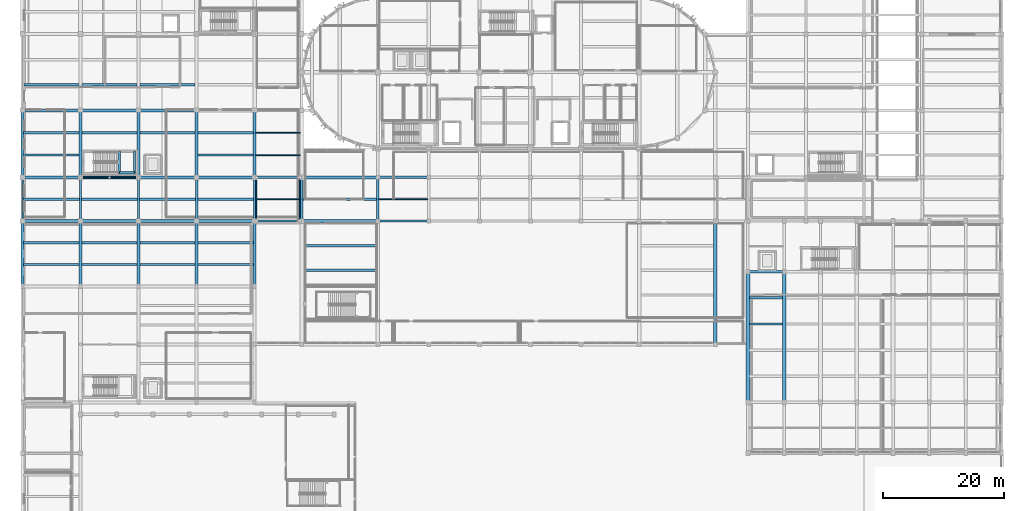
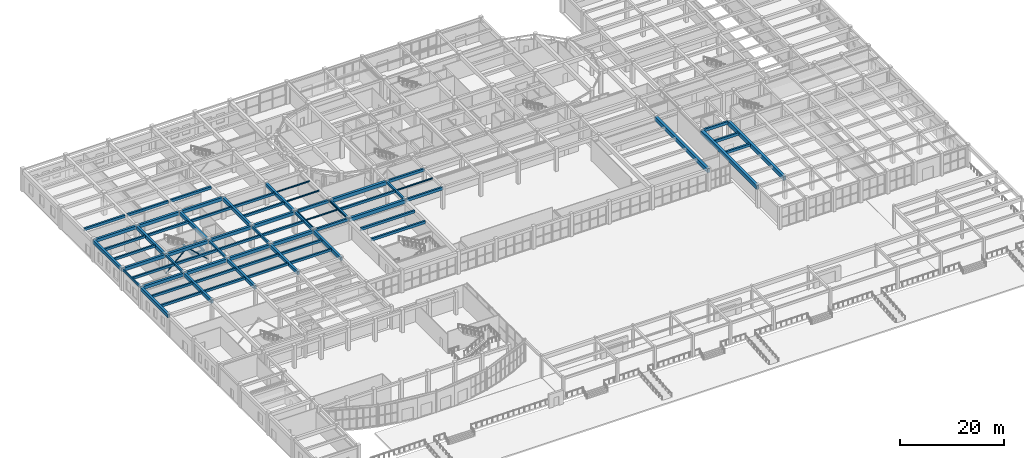
# One storey, part 30 of 98: 73 beams, 2 members.
"""IFC4 building model written with IfcOpenShell, lengths in metres."""

from ifc_helpers import new_model, si_unit, direction, frame, origin, origin_2d, place, context, subcontext, project, spatial, rectangle, hollow_rectangle, i_section, extrude, material, material_profile, profile_set, type_object, element, save


model = new_model("IFC4")

# Units and contexts
model_context = context("Model", 3, precision=1e-05, world=origin(), true_north=direction((0.0, 1.0)))
body_context = subcontext(model_context, "Body", "Model", "MODEL_VIEW")
ifc_project = project(units=[si_unit("LENGTHUNIT", "METRE"), si_unit("AREAUNIT", "SQUARE_METRE"), si_unit("VOLUMEUNIT", "CUBIC_METRE"), si_unit("PLANEANGLEUNIT", "RADIAN"), si_unit("MASSUNIT", "GRAM", prefix="KILO")], contexts=[model_context])

# Site, building, storey
site_placement = place(None, origin())
site = spatial("IfcSite", under=ifc_project, at=site_placement, CompositionType="ELEMENT")
building_placement = place(site_placement, origin())
building = spatial("IfcBuilding", under=site, at=building_placement, Name="Tarnavel Promenade Courthouse", CompositionType="ELEMENT")
storey_placement = place(building_placement, origin())
storey = spatial("IfcBuildingStorey", under=building, at=storey_placement, Name="L01", CompositionType="ELEMENT", Elevation=0.0)

# Beams
ifc_material_1 = material(Name="Concrete C40/50", Category="concrete")
ifc_material_profile_1 = material_profile(ifc_material_1, rectangle(XDim=0.35009765625, YDim=0.550048828125, at=origin_2d()), Name="PT 350x550")
ifc_profile_set_1 = profile_set([ifc_material_profile_1], Name="Concrete C40/50")
beam_type_1 = type_object("IfcBeamType", Name="Concrete C40/50 BM-PT-350x550 (PT 350x550)", PredefinedType="JOIST", material=ifc_profile_set_1)
for number, where, z_axis, x_axis, name in (
    (1, (0.219970703125, 60.0, 4.820068359375), (1.0, 0.0, 0.0), (0.0, 1.0, 0.0), "L01 Secondary Floor Rib 0921"),
    (2, (0.219970703125, 63.60009765625, 4.820068359375), (1.0, 0.0, 0.0), (0.0, 1.0, 0.0), "L01 Secondary Floor Rib 0922"),
    (3, (9.820068359375, 60.0, 4.820068359375), (1.0, 0.0, 0.0), (0.0, 1.0, 0.0), "L01 Secondary Floor Rib 0923"),
    (4, (9.820068359375, 63.60009765625, 4.820068359375), (1.0, 0.0, 0.0), (0.0, 1.0, 0.0), "L01 Secondary Floor Rib 0924"),
):
    element("IfcBeam", number, at=place(storey_placement, frame(where, z_axis=z_axis, x_axis=x_axis)), inside=storey, type_object=beam_type_1, Name=name, PredefinedType="JOIST", context=body_context, shape_type="SweptSolid", body=[
        extrude(rectangle(XDim=0.35009765625, YDim=0.550048828125, at=origin_2d()), origin(), (0.0, 0.0, 1.0), 9.159912109375),
    ])
for number, where, z_axis, x_axis, name in (
    (5, (19.419921875, 60.0, 4.820068359375), (1.0, 0.0, 0.0), (0.0, 1.0, 0.0), "L01 Secondary Floor Rib 0925"),
    (6, (19.419921875, 63.60009765625, 4.820068359375), (1.0, 0.0, 0.0), (0.0, 1.0, 0.0), "L01 Secondary Floor Rib 0926"),
):
    element("IfcBeam", number, at=place(storey_placement, frame(where, z_axis=z_axis, x_axis=x_axis)), inside=storey, type_object=beam_type_1, Name=name, PredefinedType="JOIST", context=body_context, shape_type="SweptSolid", body=[
        extrude(rectangle(XDim=0.35009765625, YDim=0.550048828125, at=origin_2d()), origin(), (0.0, 0.0, 1.0), 9.16015625),
    ])
for number, where, z_axis, x_axis, name in (
    (7, (29.02001953125, 60.0, 4.820068359375), (1.0, 0.0, 0.0), (0.0, 1.0, 0.0), "L01 Secondary Floor Rib 0927"),
    (8, (29.02001953125, 63.60009765625, 4.820068359375), (1.0, 0.0, 0.0), (0.0, 1.0, 0.0), "L01 Secondary Floor Rib 0928"),
):
    element("IfcBeam", number, at=place(storey_placement, frame(where, z_axis=z_axis, x_axis=x_axis)), inside=storey, type_object=beam_type_1, Name=name, PredefinedType="JOIST", context=body_context, shape_type="SweptSolid", body=[
        extrude(rectangle(XDim=0.35009765625, YDim=0.550048828125, at=origin_2d()), origin(), (0.0, 0.0, 1.0), 9.159912109375),
    ])
beam_1_placement = place(storey_placement, frame((0.1201171875, 70.800048828125, 4.820068359375), z_axis=(1.0, 0.0, 0.0), x_axis=(0.0, 1.0, 0.0)))
element("IfcBeam", 9, at=beam_1_placement, inside=storey, type_object=beam_type_1, Name="L01 Secondary Floor Rib 0929", PredefinedType="JOIST", context=body_context, shape_type="SweptSolid", body=[
    extrude(rectangle(XDim=0.35009765625, YDim=0.550048828125, at=origin_2d()), origin(), (0.0, 0.0, 1.0), 9.309814453125),
])
beam_2_placement = place(storey_placement, frame((9.77001953125, 70.800048828125, 4.820068359375), z_axis=(1.0, 0.0, 0.0), x_axis=(0.0, 1.0, 0.0)))
element("IfcBeam", 10, at=beam_2_placement, inside=storey, type_object=beam_type_1, Name="L01 Secondary Floor Rib 0930", PredefinedType="JOIST", context=body_context, shape_type="SweptSolid", body=[
    extrude(rectangle(XDim=0.35009765625, YDim=0.550048828125, at=origin_2d()), origin(), (0.0, 0.0, 1.0), 9.260009765625),
])
beam_3_placement = place(storey_placement, frame((19.3701171875, 70.800048828125, 4.820068359375), z_axis=(1.0, 0.0, 0.0), x_axis=(0.0, 1.0, 0.0)))
element("IfcBeam", 11, at=beam_3_placement, inside=storey, type_object=beam_type_1, Name="L01 Secondary Floor Rib 0931", PredefinedType="JOIST", context=body_context, shape_type="SweptSolid", body=[
    extrude(rectangle(XDim=0.35009765625, YDim=0.550048828125, at=origin_2d()), origin(), (0.0, 0.0, 1.0), 9.259765625),
])
beam_4_placement = place(storey_placement, frame((28.969970703125, 70.800048828125, 4.820068359375), z_axis=(1.0, 0.0, 0.0), x_axis=(0.0, 1.0, 0.0)))
element("IfcBeam", 12, at=beam_4_placement, inside=storey, type_object=beam_type_1, Name="L01 Secondary Floor Rib 0932", PredefinedType="JOIST", context=body_context, shape_type="SweptSolid", body=[
    extrude(rectangle(XDim=0.35009765625, YDim=0.550048828125, at=origin_2d()), origin(), (0.0, 0.0, 1.0), 9.260009765625),
])
beam_5_placement = place(storey_placement, frame((46.3701171875, 70.800048828125, 4.820068359375), z_axis=(1.0, 0.0, 0.0), x_axis=(0.0, 1.0, 0.0)))
element("IfcBeam", 13, at=beam_5_placement, inside=storey, type_object=beam_type_1, Name="L01 Secondary Floor Rib 0934", PredefinedType="JOIST", context=body_context, shape_type="SweptSolid", body=[
    extrude(rectangle(XDim=0.35009765625, YDim=0.550048828125, at=origin_2d()), origin(), (0.0, 0.0, 1.0), 12.259765625),
])
for number, where, z_axis, x_axis, name in (
    (14, (0.219970703125, 78.10009765625, 4.820068359375), (1.0, 0.0, 0.0), (0.0, 1.0, 0.0), "L01 Secondary Floor Rib 0946"),
    (15, (0.219970703125, 81.800048828125, 4.820068359375), (1.0, 0.0, 0.0), (0.0, 1.0, 0.0), "L01 Secondary Floor Rib 0947"),
    (16, (9.820068359375, 81.800048828125, 4.820068359375), (1.0, 0.0, 0.0), (0.0, 1.0, 0.0), "L01 Secondary Floor Rib 0948"),
):
    element("IfcBeam", number, at=place(storey_placement, frame(where, z_axis=z_axis, x_axis=x_axis)), inside=storey, type_object=beam_type_1, Name=name, PredefinedType="JOIST", context=body_context, shape_type="SweptSolid", body=[
        extrude(rectangle(XDim=0.35009765625, YDim=0.550048828125, at=origin_2d()), origin(), (0.0, 0.0, 1.0), 9.159912109375),
    ])
beam_6_placement = place(storey_placement, frame((19.419921875, 81.800048828125, 4.820068359375), z_axis=(1.0, 0.0, 0.0), x_axis=(0.0, 1.0, 0.0)))
element("IfcBeam", 17, at=beam_6_placement, inside=storey, type_object=beam_type_1, Name="L01 Secondary Floor Rib 0949", PredefinedType="JOIST", context=body_context, shape_type="SweptSolid", body=[
    extrude(rectangle(XDim=0.35009765625, YDim=0.550048828125, at=origin_2d()), origin(), (0.0, 0.0, 1.0), 9.16015625),
])
for number, where, z_axis, x_axis, name in (
    (18, (29.02001953125, 78.10009765625, 4.820068359375), (1.0, 0.0, 0.0), (0.0, 1.0, 0.0), "L01 Secondary Floor Rib 0950"),
    (19, (29.02001953125, 81.800048828125, 4.820068359375), (1.0, 0.0, 0.0), (0.0, 1.0, 0.0), "L01 Secondary Floor Rib 0951"),
):
    element("IfcBeam", number, at=place(storey_placement, frame(where, z_axis=z_axis, x_axis=x_axis)), inside=storey, type_object=beam_type_1, Name=name, PredefinedType="JOIST", context=body_context, shape_type="SweptSolid", body=[
        extrude(rectangle(XDim=0.35009765625, YDim=0.550048828125, at=origin_2d()), origin(), (0.0, 0.0, 1.0), 9.159912109375),
    ])
ifc_material_profile_2 = material_profile(ifc_material_1, rectangle(XDim=0.39990234375, YDim=0.60009765625, at=origin_2d()), Name="PT 400x600")
ifc_profile_set_2 = profile_set([ifc_material_profile_2], Name="Concrete C40/50")
beam_type_2 = type_object("IfcBeamType", Name="Concrete C40/50 BM-PT-400x600 (PT 400x600)", PredefinedType="JOIST", material=ifc_profile_set_2)
beam_7_placement = place(storey_placement, frame((0.2451171875, 89.699951171875, 4.794921875), z_axis=(1.0, 0.0, 0.0), x_axis=(0.0, 1.0, 0.0)))
element("IfcBeam", 20, at=beam_7_placement, inside=storey, type_object=beam_type_2, Name="L01 Secondary Floor Rib 0961", PredefinedType="JOIST", context=body_context, shape_type="SweptSolid", body=[
    extrude(rectangle(XDim=0.39990234375, YDim=0.60009765625, at=origin_2d()), origin(), (0.0, 0.0, 1.0), 9.10986328125),
])
beam_8_placement = place(storey_placement, frame((9.844970703125, 89.699951171875, 4.794921875), z_axis=(1.0, 0.0, 0.0), x_axis=(0.0, 1.0, 0.0)))
element("IfcBeam", 21, at=beam_8_placement, inside=storey, type_object=beam_type_2, Name="L01 Secondary Floor Rib 0963", PredefinedType="JOIST", context=body_context, shape_type="SweptSolid", body=[
    extrude(rectangle(XDim=0.39990234375, YDim=0.60009765625, at=origin_2d()), origin(), (0.0, 0.0, 1.0), 9.110107421875),
])
beam_9_placement = place(storey_placement, frame((19.445068359375, 89.699951171875, 4.794921875), z_axis=(1.0, 0.0, 0.0), x_axis=(0.0, 1.0, 0.0)))
element("IfcBeam", 22, at=beam_9_placement, inside=storey, type_object=beam_type_2, Name="L01 Secondary Floor Rib 0965", PredefinedType="JOIST", context=body_context, shape_type="SweptSolid", body=[
    extrude(rectangle(XDim=0.39990234375, YDim=0.60009765625, at=origin_2d()), origin(), (0.0, 0.0, 1.0), 9.10986328125),
])
for number, where, z_axis, x_axis, name in (
    (23, (46.469970703125, 59.0400390625, 4.794921875), (1.0, 0.0, 0.0), (0.0, 1.0, 0.0), "L01 Secondary Floor Rib 0994"),
    (24, (46.469970703125, 63.1201171875, 4.794921875), (1.0, 0.0, 0.0), (0.0, 1.0, 0.0), "L01 Secondary Floor Rib 0995"),
):
    element("IfcBeam", number, at=place(storey_placement, frame(where, z_axis=z_axis, x_axis=x_axis)), inside=storey, type_object=beam_type_2, Name=name, PredefinedType="JOIST", context=body_context, shape_type="SweptSolid", body=[
        extrude(rectangle(XDim=0.39990234375, YDim=0.60009765625, at=origin_2d()), origin(), (0.0, 0.0, 1.0), 12.06005859375),
    ])
for number, where, z_axis, x_axis, name in (
    (25, (120.27001953125, 50.159912109375, 4.8349609375), (1.0, 0.0, 0.0), (0.0, 1.0, 0.0), "L01 Secondary Floor Rib 1020"),
    (26, (120.27001953125, 54.47998046875, 4.8349609375), (1.0, 0.0, 0.0), (0.0, 1.0, 0.0), "L01 Secondary Floor Rib 1021"),
):
    element("IfcBeam", number, at=place(storey_placement, frame(where, z_axis=z_axis, x_axis=x_axis)), inside=storey, type_object=beam_type_2, Name=name, PredefinedType="JOIST", context=body_context, shape_type="SweptSolid", body=[
        extrude(rectangle(XDim=0.39990234375, YDim=0.60009765625, at=origin_2d()), origin(), (0.0, 0.0, 1.0), 5.4599609375),
    ])
ifc_material_profile_3 = material_profile(ifc_material_1, rectangle(XDim=0.5, YDim=0.800048828125, at=origin_2d()), Name="PT 500x800")
ifc_profile_set_3 = profile_set([ifc_material_profile_3], Name="Concrete C40/50")
beam_type_3 = type_object("IfcBeamType", Name="Concrete C40/50 BM-PT-500x800 (PT 500x800)", PredefinedType="T_BEAM", material=ifc_profile_set_3)
beam_10_placement = place(storey_placement, frame((0.0, 56.39990234375, 4.695068359375), z_axis=(0.0, 1.0, 0.0), x_axis=(-1.0, 0.0, 0.0)))
element("IfcBeam", 27, at=beam_10_placement, inside=storey, type_object=beam_type_3, Name="L01 Transverse Girder 0741", PredefinedType="T_BEAM", context=body_context, shape_type="SweptSolid", body=[
    extrude(rectangle(XDim=0.5, YDim=0.800048828125, at=origin_2d()), origin(), (0.0, 0.0, 1.0), 10.800048828125),
])
beam_11_placement = place(storey_placement, frame((0.0, 74.39990234375, 4.695068359375), z_axis=(0.0, 1.0, 0.0), x_axis=(-1.0, 0.0, 0.0)))
element("IfcBeam", 28, at=beam_11_placement, inside=storey, type_object=beam_type_3, Name="L01 Transverse Girder 0743", PredefinedType="T_BEAM", context=body_context, shape_type="SweptSolid", body=[
    extrude(rectangle(XDim=0.5, YDim=0.800048828125, at=origin_2d()), origin(), (0.0, 0.0, 1.0), 11.10009765625),
])
beam_12_placement = place(storey_placement, frame((9.60009765625, 56.39990234375, 4.695068359375), z_axis=(0.0, 1.0, 0.0), x_axis=(-1.0, 0.0, 0.0)))
element("IfcBeam", 29, at=beam_12_placement, inside=storey, type_object=beam_type_3, Name="L01 Transverse Girder 0753", PredefinedType="T_BEAM", context=body_context, shape_type="SweptSolid", body=[
    extrude(rectangle(XDim=0.5, YDim=0.800048828125, at=origin_2d()), origin(), (0.0, 0.0, 1.0), 10.800048828125),
])
beam_13_placement = place(storey_placement, frame((9.60009765625, 74.39990234375, 4.695068359375), z_axis=(0.0, 1.0, 0.0), x_axis=(-1.0, 0.0, 0.0)))
element("IfcBeam", 30, at=beam_13_placement, inside=storey, type_object=beam_type_3, Name="L01 Transverse Girder 0755", PredefinedType="T_BEAM", context=body_context, shape_type="SweptSolid", body=[
    extrude(rectangle(XDim=0.5, YDim=0.800048828125, at=origin_2d()), origin(), (0.0, 0.0, 1.0), 11.10009765625),
])
beam_14_placement = place(storey_placement, frame((19.199951171875, 56.39990234375, 4.695068359375), z_axis=(0.0, 1.0, 0.0), x_axis=(-1.0, 0.0, 0.0)))
element("IfcBeam", 31, at=beam_14_placement, inside=storey, type_object=beam_type_3, Name="L01 Transverse Girder 0760", PredefinedType="T_BEAM", context=body_context, shape_type="SweptSolid", body=[
    extrude(rectangle(XDim=0.5, YDim=0.800048828125, at=origin_2d()), origin(), (0.0, 0.0, 1.0), 10.800048828125),
])
beam_15_placement = place(storey_placement, frame((19.199951171875, 74.39990234375, 4.695068359375), z_axis=(0.0, 1.0, 0.0), x_axis=(-1.0, 0.0, 0.0)))
element("IfcBeam", 32, at=beam_15_placement, inside=storey, type_object=beam_type_3, Name="L01 Transverse Girder 0762", PredefinedType="T_BEAM", context=body_context, shape_type="SweptSolid", body=[
    extrude(rectangle(XDim=0.5, YDim=0.800048828125, at=origin_2d()), origin(), (0.0, 0.0, 1.0), 11.10009765625),
])
beam_16_placement = place(storey_placement, frame((28.800048828125, 56.39990234375, 4.695068359375), z_axis=(0.0, 1.0, 0.0), x_axis=(-1.0, 0.0, 0.0)))
element("IfcBeam", 33, at=beam_16_placement, inside=storey, type_object=beam_type_3, Name="L01 Transverse Girder 0767", PredefinedType="T_BEAM", context=body_context, shape_type="SweptSolid", body=[
    extrude(rectangle(XDim=0.5, YDim=0.800048828125, at=origin_2d()), origin(), (0.0, 0.0, 1.0), 10.800048828125),
])
beam_17_placement = place(storey_placement, frame((28.800048828125, 74.39990234375, 4.695068359375), z_axis=(0.0, 1.0, 0.0), x_axis=(-1.0, 0.0, 0.0)))
element("IfcBeam", 34, at=beam_17_placement, inside=storey, type_object=beam_type_3, Name="L01 Transverse Girder 0769", PredefinedType="T_BEAM", context=body_context, shape_type="SweptSolid", body=[
    extrude(rectangle(XDim=0.5, YDim=0.800048828125, at=origin_2d()), origin(), (0.0, 0.0, 1.0), 11.10009765625),
])
beam_18_placement = place(storey_placement, frame((38.39990234375, 56.39990234375, 4.695068359375), z_axis=(0.0, 1.0, 0.0), x_axis=(-1.0, 0.0, 0.0)))
element("IfcBeam", 35, at=beam_18_placement, inside=storey, type_object=beam_type_3, Name="L01 Transverse Girder 0774", PredefinedType="T_BEAM", context=body_context, shape_type="SweptSolid", body=[
    extrude(rectangle(XDim=0.5, YDim=0.800048828125, at=origin_2d()), origin(), (0.0, 0.0, 1.0), 10.800048828125),
])
beam_19_placement = place(storey_placement, frame((38.39990234375, 74.39990234375, 4.695068359375), z_axis=(0.0, 1.0, 0.0), x_axis=(-1.0, 0.0, 0.0)))
element("IfcBeam", 36, at=beam_19_placement, inside=storey, type_object=beam_type_3, Name="L01 Transverse Girder 0776", PredefinedType="T_BEAM", context=body_context, shape_type="SweptSolid", body=[
    extrude(rectangle(XDim=0.5, YDim=0.800048828125, at=origin_2d()), origin(), (0.0, 0.0, 1.0), 11.10009765625),
])
ifc_material_profile_4 = material_profile(ifc_material_1, rectangle(XDim=0.550048828125, YDim=0.85009765625, at=origin_2d()), Name="PT 550x850")
ifc_profile_set_4 = profile_set([ifc_material_profile_4], Name="Concrete C40/50")
beam_type_4 = type_object("IfcBeamType", Name="Concrete C40/50 BM-PT-550x850 (PT 550x850)", PredefinedType="T_BEAM", material=ifc_profile_set_4)
for number, where, z_axis, x_axis, name in (
    (37, (46.199951171875, 67.199951171875, 4.669921875), (1.0, 0.0, 0.0), (0.0, 1.0, 0.0), "L01 Primary Longitudinal Beam 0642"),
    (38, (46.199951171875, 74.39990234375, 4.669921875), (1.0, 0.0, 0.0), (0.0, 1.0, 0.0), "L01 Primary Longitudinal Beam 0665"),
):
    element("IfcBeam", number, at=place(storey_placement, frame(where, z_axis=z_axis, x_axis=x_axis)), inside=storey, type_object=beam_type_4, Name=name, PredefinedType="T_BEAM", context=body_context, shape_type="SweptSolid", body=[
        extrude(rectangle(XDim=0.550048828125, YDim=0.85009765625, at=origin_2d()), origin(), (0.0, 0.0, 1.0), 12.60009765625),
    ])
ifc_material_profile_5 = material_profile(ifc_material_1, rectangle(XDim=0.60009765625, YDim=0.949951171875, at=origin_2d()), Name="PT 600x950")
ifc_profile_set_5 = profile_set([ifc_material_profile_5], Name="Concrete C40/50")
beam_type_5 = type_object("IfcBeamType", Name="Concrete C40/50 BM-PT-600x950 (PT 600x950)", PredefinedType="T_BEAM", material=ifc_profile_set_5)
beam_20_placement = place(storey_placement, frame((114.60009765625, 46.800048828125, 4.6201171875), z_axis=(0.0, 1.0, 0.0), x_axis=(-1.0, 0.0, 0.0)))
element("IfcBeam", 39, at=beam_20_placement, inside=storey, type_object=beam_type_5, Name="L01 Transverse Girder 0830", PredefinedType="T_BEAM", context=body_context, shape_type="SweptSolid", body=[
    extrude(rectangle(XDim=0.60009765625, YDim=0.949951171875, at=origin_2d()), origin(), (0.0, 0.0, 1.0), 20.39990234375),
])
for number, where, z_axis, x_axis, name in (
    (40, (120.0, 37.199951171875, 4.6201171875), (0.0, 1.0, 0.0), (-1.0, 0.0, 0.0), "L01 Transverse Girder 0834"),
    (41, (126.0, 37.199951171875, 4.659912109375), (0.0, 1.0, 0.0), (-1.0, 0.0, 0.0), "L01 Transverse Girder 0842"),
):
    element("IfcBeam", number, at=place(storey_placement, frame(where, z_axis=z_axis, x_axis=x_axis)), inside=storey, type_object=beam_type_5, Name=name, PredefinedType="T_BEAM", context=body_context, shape_type="SweptSolid", body=[
        extrude(rectangle(XDim=0.60009765625, YDim=0.949951171875, at=origin_2d()), origin(), (0.0, 0.0, 1.0), 21.60009765625),
    ])
ifc_material_profile_6 = material_profile(ifc_material_1, rectangle(XDim=0.35009765625, YDim=0.449951171875, at=origin_2d()), Name="RC 350x450")
ifc_profile_set_6 = profile_set([ifc_material_profile_6], Name="Concrete C40/50")
beam_type_6 = type_object("IfcBeamType", Name="Concrete C40/50 BM-RC-350x450 (RC 350x450)", PredefinedType="BEAM", material=ifc_profile_set_6)
for number, where, z_axis, x_axis, name in (
    (42, (16.02001953125, 75.02001953125, 2.27001953125), (0.0, 1.0, 0.0), (-1.0, 0.0, 0.0), "L01 ST-04 Mid-Landing Support Beam Near"),
    (43, (18.52001953125, 75.02001953125, 2.27001953125), (0.0, 1.0, 0.0), (-1.0, 0.0, 0.0), "L01 ST-04 Mid-Landing Support Beam Far"),
):
    element("IfcBeam", number, at=place(storey_placement, frame(where, z_axis=z_axis, x_axis=x_axis)), inside=storey, type_object=beam_type_6, Name=name, PredefinedType="BEAM", context=body_context, shape_type="SweptSolid", body=[
        extrude(rectangle(XDim=0.35009765625, YDim=0.449951171875, at=origin_2d()), origin(), (0.0, 0.0, 1.0), 3.719970703125),
    ])
beam_21_placement = place(storey_placement, frame((16.02001953125, 75.169921875, 2.27001953125), z_axis=(1.0, 0.0, 0.0), x_axis=(0.0, 1.0, 0.0)))
element("IfcBeam", 44, at=beam_21_placement, inside=storey, type_object=beam_type_6, Name="L01 ST-04 Mid-Landing Edge Trimmer", PredefinedType="BEAM", context=body_context, shape_type="SweptSolid", body=[
    extrude(rectangle(XDim=0.35009765625, YDim=0.449951171875, at=origin_2d()), origin(), (0.0, 0.0, 1.0), 2.5),
])
ifc_material_profile_7 = material_profile(ifc_material_1, rectangle(XDim=0.39990234375, YDim=0.5, at=origin_2d()), Name="RC 400x500")
ifc_profile_set_7 = profile_set([ifc_material_profile_7], Name="Concrete C40/50")
beam_type_7 = type_object("IfcBeamType", Name="Concrete C40/50 BM-RC-400x500 (RC 400x500)", PredefinedType="BEAM", material=ifc_profile_set_7)
for number, where, z_axis, x_axis, name in (
    (45, (9.60009765625, 67.199951171875, 4.844970703125), (0.0, 1.0, 0.0), (-1.0, 0.0, 0.0), "L01 Transverse Girder 0754"),
    (46, (19.199951171875, 67.199951171875, 4.844970703125), (0.0, 1.0, 0.0), (-1.0, 0.0, 0.0), "L01 Transverse Girder 0761"),
    (47, (28.800048828125, 67.199951171875, 4.844970703125), (0.0, 1.0, 0.0), (-1.0, 0.0, 0.0), "L01 Transverse Girder 0768"),
    (48, (38.39990234375, 67.199951171875, 4.844970703125), (0.0, 1.0, 0.0), (-1.0, 0.0, 0.0), "L01 Transverse Girder 0775"),
    (49, (46.199951171875, 67.199951171875, 4.844970703125), (0.0, 1.0, 0.0), (-1.0, 0.0, 0.0), "L01 Transverse Girder 0780"),
    (50, (58.800048828125, 67.199951171875, 4.844970703125), (0.0, 1.0, 0.0), (-1.0, 0.0, 0.0), "L01 Transverse Girder 0790"),
):
    element("IfcBeam", number, at=place(storey_placement, frame(where, z_axis=z_axis, x_axis=x_axis)), inside=storey, type_object=beam_type_7, Name=name, PredefinedType="BEAM", context=body_context, shape_type="SweptSolid", body=[
        extrude(rectangle(XDim=0.39990234375, YDim=0.5, at=origin_2d()), origin(), (0.0, 0.0, 1.0), 7.199951171875),
    ])
ifc_material_profile_8 = material_profile(ifc_material_1, rectangle(XDim=0.39990234375, YDim=0.64990234375, at=origin_2d()), Name="RC 400x650")
ifc_profile_set_8 = profile_set([ifc_material_profile_8], Name="Concrete C40/50")
beam_type_8 = type_object("IfcBeamType", Name="Concrete C40/50 BM-RC-400x650 (RC 400x650)", PredefinedType="BEAM", material=ifc_profile_set_8)
beam_22_placement = place(storey_placement, frame((120.0, 58.800048828125, 4.81005859375), z_axis=(1.0, 0.0, 0.0), x_axis=(0.0, 1.0, 0.0)))
element("IfcBeam", 51, at=beam_22_placement, inside=storey, type_object=beam_type_8, Name="L01 Primary Longitudinal Beam 0630", PredefinedType="BEAM", context=body_context, shape_type="SweptSolid", body=[
    extrude(rectangle(XDim=0.39990234375, YDim=0.64990234375, at=origin_2d()), origin(), (0.0, 0.0, 1.0), 6.0),
])
beam_23_placement = place(storey_placement, frame((38.39990234375, 67.199951171875, 4.81005859375), z_axis=(1.0, 0.0, 0.0), x_axis=(0.0, 1.0, 0.0)))
element("IfcBeam", 52, at=beam_23_placement, inside=storey, type_object=beam_type_8, Name="L01 Primary Longitudinal Beam 0641", PredefinedType="BEAM", context=body_context, shape_type="SweptSolid", body=[
    extrude(rectangle(XDim=0.39990234375, YDim=0.64990234375, at=origin_2d()), origin(), (0.0, 0.0, 1.0), 7.800048828125),
])
beam_24_placement = place(storey_placement, frame((58.800048828125, 67.199951171875, 4.77001953125), z_axis=(1.0, 0.0, 0.0), x_axis=(0.0, 1.0, 0.0)))
element("IfcBeam", 53, at=beam_24_placement, inside=storey, type_object=beam_type_8, Name="L01 Primary Longitudinal Beam 0643", PredefinedType="BEAM", context=body_context, shape_type="SweptSolid", body=[
    extrude(rectangle(XDim=0.39990234375, YDim=0.64990234375, at=origin_2d()), origin(), (0.0, 0.0, 1.0), 8.39990234375),
])
beam_25_placement = place(storey_placement, frame((38.39990234375, 74.39990234375, 4.81005859375), z_axis=(1.0, 0.0, 0.0), x_axis=(0.0, 1.0, 0.0)))
element("IfcBeam", 54, at=beam_25_placement, inside=storey, type_object=beam_type_8, Name="L01 Primary Longitudinal Beam 0664", PredefinedType="BEAM", context=body_context, shape_type="SweptSolid", body=[
    extrude(rectangle(XDim=0.39990234375, YDim=0.64990234375, at=origin_2d()), origin(), (0.0, 0.0, 1.0), 7.800048828125),
])
beam_26_placement = place(storey_placement, frame((58.800048828125, 74.39990234375, 4.77001953125), z_axis=(1.0, 0.0, 0.0), x_axis=(0.0, 1.0, 0.0)))
element("IfcBeam", 55, at=beam_26_placement, inside=storey, type_object=beam_type_8, Name="L01 Primary Longitudinal Beam 0666", PredefinedType="BEAM", context=body_context, shape_type="SweptSolid", body=[
    extrude(rectangle(XDim=0.39990234375, YDim=0.64990234375, at=origin_2d()), origin(), (0.0, 0.0, 1.0), 8.39990234375),
])
ifc_material_profile_9 = material_profile(ifc_material_1, rectangle(XDim=0.5, YDim=0.75, at=origin_2d()), Name="RC 500x750")
ifc_profile_set_9 = profile_set([ifc_material_profile_9], Name="Concrete C40/50")
beam_type_9 = type_object("IfcBeamType", Name="Concrete C40/50 BM-RC-500x750 (RC 500x750)", PredefinedType="T_BEAM", material=ifc_profile_set_9)
beam_27_placement = place(storey_placement, frame((0.0, 67.199951171875, 4.719970703125), z_axis=(1.0, 0.0, 0.0), x_axis=(0.0, 1.0, 0.0)))
element("IfcBeam", 56, at=beam_27_placement, inside=storey, type_object=beam_type_9, Name="L01 Primary Longitudinal Beam 0637", PredefinedType="T_BEAM", context=body_context, shape_type="SweptSolid", body=[
    extrude(rectangle(XDim=0.5, YDim=0.75, at=origin_2d()), origin(), (0.0, 0.0, 1.0), 9.60009765625),
])
beam_28_placement = place(storey_placement, frame((9.60009765625, 67.199951171875, 4.719970703125), z_axis=(1.0, 0.0, 0.0), x_axis=(0.0, 1.0, 0.0)))
element("IfcBeam", 57, at=beam_28_placement, inside=storey, type_object=beam_type_9, Name="L01 Primary Longitudinal Beam 0638", PredefinedType="T_BEAM", context=body_context, shape_type="SweptSolid", body=[
    extrude(rectangle(XDim=0.5, YDim=0.75, at=origin_2d()), origin(), (0.0, 0.0, 1.0), 9.599853515625),
])
beam_29_placement = place(storey_placement, frame((19.199951171875, 67.199951171875, 4.719970703125), z_axis=(1.0, 0.0, 0.0), x_axis=(0.0, 1.0, 0.0)))
element("IfcBeam", 58, at=beam_29_placement, inside=storey, type_object=beam_type_9, Name="L01 Primary Longitudinal Beam 0639", PredefinedType="T_BEAM", context=body_context, shape_type="SweptSolid", body=[
    extrude(rectangle(XDim=0.5, YDim=0.75, at=origin_2d()), origin(), (0.0, 0.0, 1.0), 9.60009765625),
])
beam_30_placement = place(storey_placement, frame((28.800048828125, 67.199951171875, 4.719970703125), z_axis=(1.0, 0.0, 0.0), x_axis=(0.0, 1.0, 0.0)))
element("IfcBeam", 59, at=beam_30_placement, inside=storey, type_object=beam_type_9, Name="L01 Primary Longitudinal Beam 0640", PredefinedType="T_BEAM", context=body_context, shape_type="SweptSolid", body=[
    extrude(rectangle(XDim=0.5, YDim=0.75, at=origin_2d()), origin(), (0.0, 0.0, 1.0), 9.599853515625),
])
beam_31_placement = place(storey_placement, frame((0.0, 74.39990234375, 4.719970703125), z_axis=(1.0, 0.0, 0.0), x_axis=(0.0, 1.0, 0.0)))
element("IfcBeam", 60, at=beam_31_placement, inside=storey, type_object=beam_type_9, Name="L01 Primary Longitudinal Beam 0660", PredefinedType="T_BEAM", context=body_context, shape_type="SweptSolid", body=[
    extrude(rectangle(XDim=0.5, YDim=0.75, at=origin_2d()), origin(), (0.0, 0.0, 1.0), 9.60009765625),
])
beam_32_placement = place(storey_placement, frame((9.60009765625, 74.39990234375, 4.719970703125), z_axis=(1.0, 0.0, 0.0), x_axis=(0.0, 1.0, 0.0)))
element("IfcBeam", 61, at=beam_32_placement, inside=storey, type_object=beam_type_9, Name="L01 Primary Longitudinal Beam 0661", PredefinedType="T_BEAM", context=body_context, shape_type="SweptSolid", body=[
    extrude(rectangle(XDim=0.5, YDim=0.75, at=origin_2d()), origin(), (0.0, 0.0, 1.0), 9.599853515625),
])
beam_33_placement = place(storey_placement, frame((19.199951171875, 74.39990234375, 4.719970703125), z_axis=(1.0, 0.0, 0.0), x_axis=(0.0, 1.0, 0.0)))
element("IfcBeam", 62, at=beam_33_placement, inside=storey, type_object=beam_type_9, Name="L01 Primary Longitudinal Beam 0662", PredefinedType="T_BEAM", context=body_context, shape_type="SweptSolid", body=[
    extrude(rectangle(XDim=0.5, YDim=0.75, at=origin_2d()), origin(), (0.0, 0.0, 1.0), 9.60009765625),
])
beam_34_placement = place(storey_placement, frame((28.800048828125, 74.39990234375, 4.719970703125), z_axis=(1.0, 0.0, 0.0), x_axis=(0.0, 1.0, 0.0)))
element("IfcBeam", 63, at=beam_34_placement, inside=storey, type_object=beam_type_9, Name="L01 Primary Longitudinal Beam 0663", PredefinedType="T_BEAM", context=body_context, shape_type="SweptSolid", body=[
    extrude(rectangle(XDim=0.5, YDim=0.75, at=origin_2d()), origin(), (0.0, 0.0, 1.0), 9.599853515625),
])
beam_35_placement = place(storey_placement, frame((0.0, 85.5, 4.719970703125), z_axis=(1.0, 0.0, 0.0), x_axis=(0.0, 1.0, 0.0)))
element("IfcBeam", 64, at=beam_35_placement, inside=storey, type_object=beam_type_9, Name="L01 Primary Longitudinal Beam 0682", PredefinedType="T_BEAM", context=body_context, shape_type="SweptSolid", body=[
    extrude(rectangle(XDim=0.5, YDim=0.75, at=origin_2d()), origin(), (0.0, 0.0, 1.0), 9.60009765625),
])
beam_36_placement = place(storey_placement, frame((9.60009765625, 85.5, 4.719970703125), z_axis=(1.0, 0.0, 0.0), x_axis=(0.0, 1.0, 0.0)))
element("IfcBeam", 65, at=beam_36_placement, inside=storey, type_object=beam_type_9, Name="L01 Primary Longitudinal Beam 0683", PredefinedType="T_BEAM", context=body_context, shape_type="SweptSolid", body=[
    extrude(rectangle(XDim=0.5, YDim=0.75, at=origin_2d()), origin(), (0.0, 0.0, 1.0), 9.599853515625),
])
beam_37_placement = place(storey_placement, frame((19.199951171875, 85.5, 4.719970703125), z_axis=(1.0, 0.0, 0.0), x_axis=(0.0, 1.0, 0.0)))
element("IfcBeam", 66, at=beam_37_placement, inside=storey, type_object=beam_type_9, Name="L01 Primary Longitudinal Beam 0684", PredefinedType="T_BEAM", context=body_context, shape_type="SweptSolid", body=[
    extrude(rectangle(XDim=0.5, YDim=0.75, at=origin_2d()), origin(), (0.0, 0.0, 1.0), 9.60009765625),
])
ifc_material_profile_10 = material_profile(ifc_material_1, rectangle(XDim=0.300048828125, YDim=0.5, at=origin_2d()), Name="RC 300x500")
ifc_profile_set_10 = profile_set([ifc_material_profile_10], Name="Concrete C40/50")
beam_type_10 = type_object("IfcBeamType", Name="Concrete C40/50 BM-SP-300x500 (RC 300x500)", PredefinedType="SPANDREL", material=ifc_profile_set_10)
beam_38_placement = place(storey_placement, frame((0.0, 67.199951171875, 4.844970703125), z_axis=(0.0, 1.0, 0.0), x_axis=(-1.0, 0.0, 0.0)))
element("IfcBeam", 67, at=beam_38_placement, inside=storey, type_object=beam_type_10, Name="L01 Transverse Girder 0742", PredefinedType="SPANDREL", context=body_context, shape_type="SweptSolid", body=[
    extrude(rectangle(XDim=0.300048828125, YDim=0.5, at=origin_2d()), origin(), (0.0, 0.0, 1.0), 7.199951171875),
])
ifc_material_2 = material(Name="Steel S355J2", Category="steel")
ifc_material_profile_11 = material_profile(ifc_material_2, i_section(OverallWidth=0.159912109375, OverallDepth=0.330078125, WebThickness=0.007568359375, FlangeThickness=0.011474609375, FilletRadius=0.01806640625, at=origin_2d()), Name="IPE 330")
ifc_profile_set_11 = profile_set([ifc_material_profile_11], Name="Steel S355J2")
beam_type_11 = type_object("IfcBeamType", Name="Steel S355J2 BM-ST-IPE330 (IPE 330)", PredefinedType="JOIST", material=ifc_profile_set_11)
beam_39_placement = place(storey_placement, frame((38.570068359375, 70.800048828125, 4.969970703125), z_axis=(1.0, 0.0, 0.0), x_axis=(0.0, 1.0, 0.0)))
element("IfcBeam", 68, at=beam_39_placement, inside=storey, type_object=beam_type_11, Name="L01 Secondary Floor Rib 0933", PredefinedType="JOIST", context=body_context, shape_type="SweptSolid", body=[
    extrude(i_section(OverallWidth=0.159912109375, OverallDepth=0.330078125, WebThickness=0.007568359375, FlangeThickness=0.011474609375, FilletRadius=0.01806640625, at=origin_2d()), origin(), (0.0, 0.0, 1.0), 7.4599609375),
])
beam_40_placement = place(storey_placement, frame((58.969970703125, 70.800048828125, 4.929931640625), z_axis=(1.0, 0.0, 0.0), x_axis=(0.0, 1.0, 0.0)))
element("IfcBeam", 69, at=beam_40_placement, inside=storey, type_object=beam_type_11, Name="L01 Secondary Floor Rib 0935", PredefinedType="JOIST", context=body_context, shape_type="SweptSolid", body=[
    extrude(i_section(OverallWidth=0.159912109375, OverallDepth=0.330078125, WebThickness=0.007568359375, FlangeThickness=0.011474609375, FilletRadius=0.01806640625, at=origin_2d()), origin(), (0.0, 0.0, 1.0), 8.06005859375),
])
for number, where, z_axis, x_axis, name in (
    (70, (38.6201171875, 78.10009765625, 4.969970703125), (1.0, 0.0, 0.0), (0.0, 1.0, 0.0), "L01 Secondary Floor Rib 0952"),
    (71, (38.6201171875, 81.800048828125, 4.969970703125), (1.0, 0.0, 0.0), (0.0, 1.0, 0.0), "L01 Secondary Floor Rib 0953"),
):
    element("IfcBeam", number, at=place(storey_placement, frame(where, z_axis=z_axis, x_axis=x_axis)), inside=storey, type_object=beam_type_11, Name=name, PredefinedType="JOIST", context=body_context, shape_type="SweptSolid", body=[
        extrude(i_section(OverallWidth=0.159912109375, OverallDepth=0.330078125, WebThickness=0.007568359375, FlangeThickness=0.011474609375, FilletRadius=0.01806640625, at=origin_2d()), origin(), (0.0, 0.0, 1.0), 7.35986328125),
    ])
for number, where, z_axis, x_axis, name in (
    (72, (38.699951171875, 67.199951171875, 5.02001953125), (0.0, 1.0, 0.0), (-1.0, 0.0, 0.0), "Link Bridge BRW W Seismic Sliding Bearing Seat Beam"),
    (73, (45.89990234375, 67.199951171875, 5.02001953125), (0.0, 1.0, 0.0), (-1.0, 0.0, 0.0), "Link Bridge BRW E Seismic Sliding Bearing Seat Beam"),
):
    element("IfcBeam", number, at=place(storey_placement, frame(where, z_axis=z_axis, x_axis=x_axis)), inside=storey, type_object=beam_type_11, Name=name, PredefinedType="JOIST", context=body_context, shape_type="SweptSolid", body=[
        extrude(i_section(OverallWidth=0.159912109375, OverallDepth=0.330078125, WebThickness=0.007568359375, FlangeThickness=0.011474609375, FilletRadius=0.01806640625, at=origin_2d()), origin(), (0.0, 0.0, 1.0), 7.199951171875),
    ])

# Members
ifc_material_profile_12 = material_profile(ifc_material_2, hollow_rectangle(XDim=0.199951171875, YDim=0.199951171875, WallThickness=0.012451171875, InnerFilletRadius=0.012451171875, OuterFilletRadius=0.02490234375, at=origin_2d()), Name="SHS 200x200x12.5")
ifc_profile_set_12 = profile_set([ifc_material_profile_12], Name="Steel S355J2")
member_type = type_object("IfcMemberType", Name="Steel S355J2 MEM-BR-SHS200 (SHS 200x200x12.5)", PredefinedType="BRACE", material=ifc_profile_set_12)
member_1_placement = place(storey_placement, frame((9.60009765625, 74.39990234375, 0.39501953125), z_axis=(0.733327326961, 0.0, 0.679875747127), x_axis=(0.0, 1.0, 0.0)))
element("IfcMember", 74, at=member_1_placement, inside=storey, type_object=member_type, Name="L01 V2 Chevron Brace A 029", PredefinedType="BRACE", context=body_context, shape_type="SweptSolid", body=[
    extrude(hollow_rectangle(XDim=0.199951171875, YDim=0.199951171875, WallThickness=0.012451171875, InnerFilletRadius=0.012451171875, OuterFilletRadius=0.02490234375, at=origin_2d()), origin(), (0.0, 0.0, 1.0), 6.545166015625),
])
member_2_placement = place(storey_placement, frame((19.199951171875, 74.39990234375, 0.39501953125), z_axis=(-0.733344567691, 0.0, 0.679857150465), x_axis=(0.0, -1.0, 0.0)))
element("IfcMember", 75, at=member_2_placement, inside=storey, type_object=member_type, Name="L01 V2 Chevron Brace B 029", PredefinedType="BRACE", context=body_context, shape_type="SweptSolid", body=[
    extrude(hollow_rectangle(XDim=0.199951171875, YDim=0.199951171875, WallThickness=0.012451171875, InnerFilletRadius=0.012451171875, OuterFilletRadius=0.02490234375, at=origin_2d()), origin(), (0.0, 0.0, 1.0), 6.54541015625),
])

save(model, "model.ifc")
